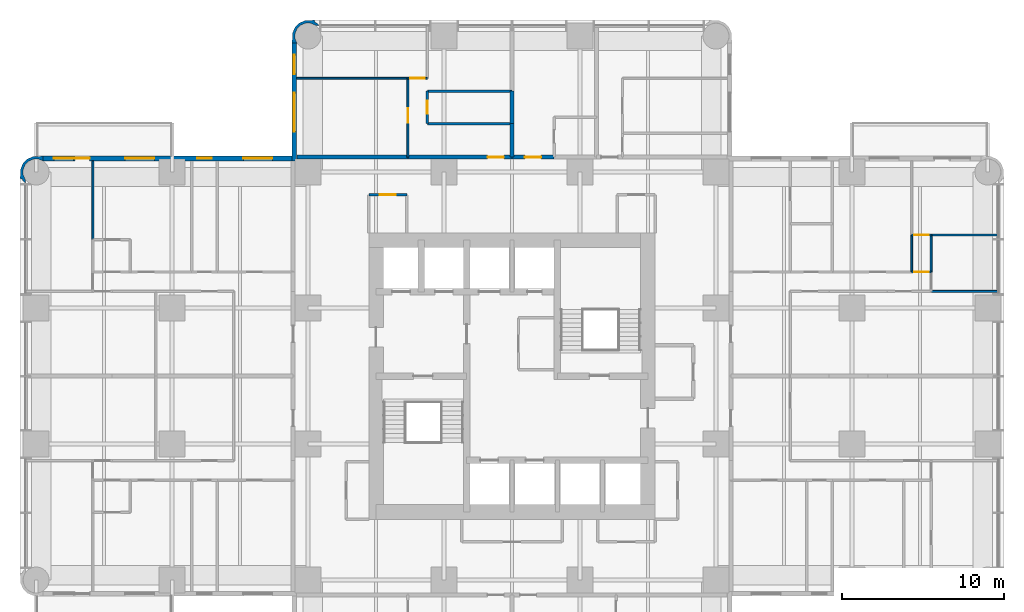
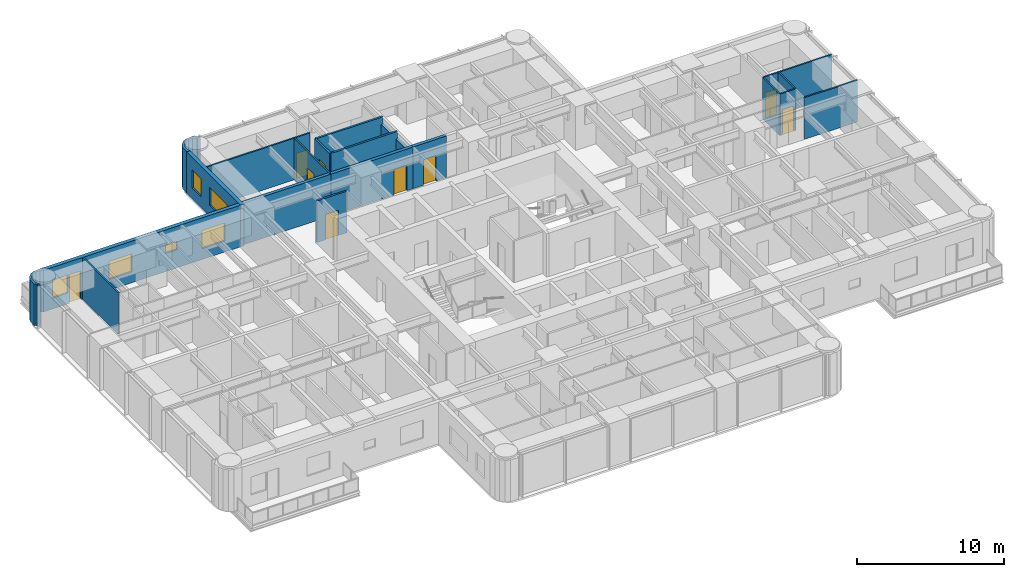
# One storey, part 11 of 15: 23 walls, 9 doors, 6 windows, 15 openings.
"""IFC4 building model written with IfcOpenShell, lengths in metres."""

from ifc_helpers import new_model, si_unit, direction, frame, frame_2d, origin, place, context, subcontext, project, spatial, polyline, rectangle, outline, extrude, material, layer, layer_set, type_object, element, fill, save


model = new_model("IFC4")

# Units and contexts
model_context = context("Model", 3, precision=1e-05, world=origin(), true_north=direction((0.0, 1.0)))
body_context = subcontext(model_context, "Body", "Model", "MODEL_VIEW")
ifc_project = project(units=[si_unit("LENGTHUNIT", "METRE"), si_unit("AREAUNIT", "SQUARE_METRE"), si_unit("VOLUMEUNIT", "CUBIC_METRE"), si_unit("PLANEANGLEUNIT", "RADIAN"), si_unit("MASSUNIT", "GRAM", prefix="KILO")], contexts=[model_context])

# Site, building, storey
site_placement = place(None, origin())
site = spatial("IfcSite", under=ifc_project, at=site_placement, CompositionType="ELEMENT")
building_placement = place(site_placement, origin())
building = spatial("IfcBuilding", under=site, at=building_placement, Name="Torre Alcanfor", CompositionType="ELEMENT")
storey_placement = place(building_placement, frame((0.0, 0.0, 144.89990234375)))
storey = spatial("IfcBuildingStorey", under=building, at=storey_placement, Name="L37", CompositionType="ELEMENT", Elevation=144.89990234375)

# Wall, opening, door
ifc_material_1 = material(Name="Concrete block masonry, hollow blocks NMX-C-404 9 MPa", Category="masonry")
ifc_layer_1 = layer(ifc_material_1, 0.25)
ifc_layer_set_1 = layer_set([ifc_layer_1], Name="Apartment entrance wall 250 EI 60")
wall_type_1 = type_object("IfcWallType", Name="Apartment entrance wall 250 EI 60", PredefinedType="PARTITIONING", material=ifc_layer_set_1)
wall_1_placement = place(storey_placement, frame((22.970947265625, 42.925048828125, 0.0), z_axis=(0.0, 0.0, 1.0), x_axis=(1.0, 0.0, 0.0)))
wall_1 = element("IfcWall", 1, at=wall_1_placement, inside=storey, type_object=wall_type_1, Name="Partition L37-CORR / L37-N1-LIVING", PredefinedType="PARTITIONING", context=body_context, shape_type="SweptSolid", body=[
    extrude(rectangle(XDim=6.428955078125, YDim=0.25, at=frame_2d((3.21435546875, 0.0))), origin(), (0.0, 0.0, 1.0), 3.4501953125),
])
opening_1_placement = place(wall_1_placement, frame((4.928955078125, 0.0, 0.0)))
opening_1 = element("IfcOpeningElement", 2, at=opening_1_placement, cuts=wall_1, Name="Opening D-A1", PredefinedType="OPENING", context=body_context, shape_type="SweptSolid", body=[
    extrude(rectangle(XDim=1.0, YDim=2.10009765625, at=frame_2d((0.5, 1.050048828125))), frame((0.0, 0.135009765625, 0.0), z_axis=(0.0, -1.0, 0.0), x_axis=(1.0, 0.0, 0.0)), (0.0, 0.0, 1.0), 0.27001953125),
])
ifc_material_2 = material(Name="Galvanised steel sheet ASTM A653", Category="steel")
door_type_1 = type_object("IfcDoorType", Name="Apartment entrance door FD60 1000x2100", OperationType="SINGLE_SWING_LEFT", PredefinedType="DOOR", material=ifc_material_2)
door_1_placement = place(opening_1_placement, origin())
door_1 = element("IfcDoor", 3, at=door_1_placement, inside=storey, type_object=door_type_1, Name="Apartment entrance L37-N1", OperationType="SINGLE_SWING_RIGHT", OverallHeight=2.10009765625, OverallWidth=1.0, PredefinedType="DOOR", context=body_context, shape_type="SweptSolid", body=[
    extrude(rectangle(XDim=1.0, YDim=2.10009765625, at=frame_2d((0.5, 1.050048828125))), frame((0.0, 0.02490234375, 0.0), z_axis=(0.0, -1.0, 0.0), x_axis=(1.0, 0.0, 0.0)), (0.0, 0.0, 1.0), 0.050048828125),
])
fill(opening_1, door_1)

# Wall
wall_2_placement = place(storey_placement, frame((16.10009765625, 42.925048828125, 0.0), z_axis=(0.0, 0.0, 1.0), x_axis=(1.0, 0.0, 0.0)))
element("IfcWall", 4, at=wall_2_placement, inside=storey, type_object=wall_type_1, Name="Partition L37-CORR / L37-N1-BED2", PredefinedType="PARTITIONING", context=body_context, shape_type="SweptSolid", body=[
    extrude(rectangle(XDim=6.870849609375, YDim=0.25, at=frame_2d((3.435546875, 0.0))), origin(), (0.0, 0.0, 1.0), 3.4501953125),
])

# Wall, opening, door
wall_3_placement = place(storey_placement, frame((29.39990234375, 42.925048828125, 0.0), z_axis=(0.0, 0.0, 1.0), x_axis=(1.0, 0.0, 0.0)))
wall_3 = element("IfcWall", 5, at=wall_3_placement, inside=storey, type_object=wall_type_1, Name="Partition L37-CORR / L37-N2A-STUDIO", PredefinedType="PARTITIONING", context=body_context, shape_type="SweptSolid", body=[
    extrude(rectangle(XDim=2.60009765625, YDim=0.25, at=frame_2d((1.300048828125, 0.0))), origin(), (0.0, 0.0, 1.0), 3.4501953125),
])
opening_2_placement = place(wall_3_placement, frame((0.800048828125, 0.0, 0.0)))
opening_2 = element("IfcOpeningElement", 6, at=opening_2_placement, cuts=wall_3, Name="Opening D-A1", PredefinedType="OPENING", context=body_context, shape_type="SweptSolid", body=[
    extrude(rectangle(XDim=1.0, YDim=2.10009765625, at=frame_2d((0.5, 1.050048828125))), frame((0.0, 0.135009765625, 0.0), z_axis=(0.0, -1.0, 0.0), x_axis=(1.0, 0.0, 0.0)), (0.0, 0.0, 1.0), 0.27001953125),
])
door_2_placement = place(opening_2_placement, origin())
door_2 = element("IfcDoor", 7, at=door_2_placement, inside=storey, type_object=door_type_1, Name="Apartment entrance L37-N2A", OperationType="SINGLE_SWING_LEFT", OverallHeight=2.10009765625, OverallWidth=1.0, PredefinedType="DOOR", context=body_context, shape_type="SweptSolid", body=[
    extrude(rectangle(XDim=1.0, YDim=2.10009765625, at=frame_2d((0.5, 1.050048828125))), frame((0.0, 0.02490234375, 0.0), z_axis=(0.0, -1.0, 0.0), x_axis=(1.0, 0.0, 0.0)), (0.0, 0.0, 1.0), 0.050048828125),
])
fill(opening_2, door_2)

ifc_material_3 = material(Name="Gypsum board on steel studs", Category="steel")
ifc_layer_2 = layer(ifc_material_3, 0.1201171875)
ifc_layer_set_2 = layer_set([ifc_layer_2], Name="Apartment partition 120")
wall_type_2 = type_object("IfcWallType", Name="Apartment partition 120", PredefinedType="PARTITIONING", material=ifc_layer_set_2)
wall_4_placement = place(storey_placement, frame((22.970947265625, 42.925048828125, 0.0), z_axis=(0.0, 0.0, 1.0), x_axis=(0.0, 1.0, 0.0)))
wall_4 = element("IfcWall", 8, at=wall_4_placement, inside=storey, type_object=wall_type_2, Name="Partition L37-N1-LIVING / L37-N1-BED2", PredefinedType="PARTITIONING", context=body_context, shape_type="SweptSolid", body=[
    extrude(rectangle(XDim=4.875, YDim=0.1201171875, at=frame_2d((2.4375, 0.0))), origin(), (0.0, 0.0, 1.0), 3.4501953125),
])
opening_3_placement = place(wall_4_placement, frame((2.125, 0.0, 0.0)))
opening_3 = element("IfcOpeningElement", 9, at=opening_3_placement, cuts=wall_4, Name="Opening D-R1", PredefinedType="OPENING", context=body_context, shape_type="SweptSolid", body=[
    extrude(rectangle(XDim=0.89990234375, YDim=2.10009765625, at=frame_2d((0.449951171875, 1.050048828125))), frame((0.0, 0.070068359375, 0.0), z_axis=(0.0, -1.0, 0.0), x_axis=(1.0, 0.0, 0.0)), (0.0, 0.0, 1.0), 0.14013671875),
])
ifc_material_4 = material(Name="Timber", Category="wood")
door_type_2 = type_object("IfcDoorType", Name="Internal door 900x2100", OperationType="SINGLE_SWING_LEFT", PredefinedType="DOOR", material=ifc_material_4)
door_3_placement = place(opening_3_placement, origin())
door_3 = element("IfcDoor", 10, at=door_3_placement, inside=storey, type_object=door_type_2, Name="Door L37-N1 bed2", OperationType="SINGLE_SWING_RIGHT", OverallHeight=2.10009765625, OverallWidth=0.89990234375, PredefinedType="DOOR", context=body_context, shape_type="SweptSolid", body=[
    extrude(rectangle(XDim=0.89990234375, YDim=2.10009765625, at=frame_2d((0.449951171875, 1.050048828125))), frame((0.0, 0.02490234375, 0.0), z_axis=(0.0, -1.0, 0.0), x_axis=(1.0, 0.0, 0.0)), (0.0, 0.0, 1.0), 0.050048828125),
])
fill(opening_3, door_3)

wall_5_placement = place(storey_placement, frame((22.970947265625, 47.800048828125, 0.0), z_axis=(0.0, 0.0, 1.0), x_axis=(1.0, 0.0, 0.0)))
wall_5 = element("IfcWall", 11, at=wall_5_placement, inside=storey, type_object=wall_type_2, Name="Partition L37-N1-LIVING / L37-N1-MASTER", PredefinedType="PARTITIONING", context=body_context, shape_type="SweptSolid", body=[
    extrude(rectangle(XDim=1.199951171875, YDim=0.1201171875, at=frame_2d((0.60009765625, 0.0))), origin(), (0.0, 0.0, 1.0), 3.4501953125),
])
opening_4_placement = place(wall_5_placement, frame((0.14892578125, 0.0, 0.0)))
opening_4 = element("IfcOpeningElement", 12, at=opening_4_placement, cuts=wall_5, Name="Opening D-R1", PredefinedType="OPENING", context=body_context, shape_type="SweptSolid", body=[
    extrude(rectangle(XDim=0.89990234375, YDim=2.10009765625, at=frame_2d((0.449951171875, 1.050048828125))), frame((0.0, 0.070068359375, 0.0), z_axis=(0.0, -1.0, 0.0), x_axis=(1.0, 0.0, 0.0)), (0.0, 0.0, 1.0), 0.14013671875),
])
door_4_placement = place(opening_4_placement, origin())
door_4 = element("IfcDoor", 13, at=door_4_placement, inside=storey, type_object=door_type_2, Name="Door L37-N1 master", OperationType="SINGLE_SWING_RIGHT", OverallHeight=2.10009765625, OverallWidth=0.89990234375, PredefinedType="DOOR", context=body_context, shape_type="SweptSolid", body=[
    extrude(rectangle(XDim=0.89990234375, YDim=2.10009765625, at=frame_2d((0.449951171875, 1.050048828125))), frame((0.0, 0.02490234375, 0.0), z_axis=(0.0, -1.0, 0.0), x_axis=(1.0, 0.0, 0.0)), (0.0, 0.0, 1.0), 0.050048828125),
])
fill(opening_4, door_4)

# Walls
wall_6_placement = place(storey_placement, frame((22.970947265625, 47.800048828125, 0.0), z_axis=(0.0, 0.0, 1.0), x_axis=(-1.0, 0.0, 0.0)))
element("IfcWall", 14, at=wall_6_placement, inside=storey, type_object=wall_type_2, Name="Partition L37-N1-BED2 / L37-N1-MASTER", PredefinedType="PARTITIONING", context=body_context, shape_type="SweptSolid", body=[
    extrude(rectangle(XDim=6.870849609375, YDim=0.1201171875, at=frame_2d((3.435546875, 0.0))), origin(), (0.0, 0.0, 1.0), 3.4501953125),
])
wall_7_placement = place(storey_placement, frame((59.449951171875, 34.62890625, 0.0), z_axis=(0.0, 0.0, 1.0), x_axis=(-1.0, 0.0, 0.0)))
element("IfcWall", 15, at=wall_7_placement, inside=storey, type_object=wall_type_2, Name="Partition L37-E1-LIVING / L37-E1-BED2", PredefinedType="PARTITIONING", context=body_context, shape_type="SweptSolid", body=[
    extrude(rectangle(XDim=4.14990234375, YDim=0.1201171875, at=frame_2d((2.074951171875, 0.0))), origin(), (0.0, 0.0, 1.0), 3.4501953125),
])

# Wall, opening, door
wall_8_placement = place(storey_placement, frame((55.300048828125, 35.8291015625, 0.0), z_axis=(0.0, 0.0, 1.0), x_axis=(-1.0, 0.0, 0.0)))
wall_8 = element("IfcWall", 16, at=wall_8_placement, inside=storey, type_object=wall_type_2, Name="Partition L37-E1-HALL / L37-E1-VEST", PredefinedType="PARTITIONING", context=body_context, shape_type="SweptSolid", body=[
    extrude(rectangle(XDim=1.199951171875, YDim=0.1201171875, at=frame_2d((0.60009765625, 0.0))), origin(), (0.0, 0.0, 1.0), 3.4501953125),
])
opening_5_placement = place(wall_8_placement, frame((0.14990234375, 0.0, 0.0)))
opening_5 = element("IfcOpeningElement", 17, at=opening_5_placement, cuts=wall_8, Name="Opening D-R1", PredefinedType="OPENING", context=body_context, shape_type="SweptSolid", body=[
    extrude(rectangle(XDim=0.89990234375, YDim=2.10009765625, at=frame_2d((0.449951171875, 1.050048828125))), frame((0.0, 0.070068359375, 0.0), z_axis=(0.0, -1.0, 0.0), x_axis=(1.0, 0.0, 0.0)), (0.0, 0.0, 1.0), 0.14013671875),
])
door_5_placement = place(opening_5_placement, frame((0.89990234375, 0.0, 0.0), z_axis=(0.0, 0.0, 1.0), x_axis=(-1.0, 0.0, 0.0)))
door_5 = element("IfcDoor", 18, at=door_5_placement, inside=storey, type_object=door_type_2, Name="Door L37-E1 vest", OperationType="SINGLE_SWING_RIGHT", OverallHeight=2.10009765625, OverallWidth=0.89990234375, PredefinedType="DOOR", context=body_context, shape_type="SweptSolid", body=[
    extrude(rectangle(XDim=0.89990234375, YDim=2.10009765625, at=frame_2d((0.449951171875, 1.050048828125))), frame((0.0, 0.025146484375, 0.0), z_axis=(0.0, -1.0, 0.0), x_axis=(1.0, 0.0, 0.0)), (0.0, 0.0, 1.0), 0.050048828125),
])
fill(opening_5, door_5)

# Walls
for number, where, z_axis, x_axis, name in (
    (19, (54.10009765625, 35.8291015625, 0.0), (0.0, 0.0, 1.0), (0.0, 1.0, 0.0), "Partition L37-E1-BED3 / L37-E1-VEST"),
    (20, (55.300048828125, 35.8291015625, 0.0), (0.0, 0.0, 1.0), (0.0, 1.0, 0.0), "Partition L37-E1-VEST / L37-E1-BED2"),
):
    element("IfcWall", number, at=place(storey_placement, frame(where, z_axis=z_axis, x_axis=x_axis)), inside=storey, type_object=wall_type_2, Name=name, PredefinedType="PARTITIONING", context=body_context, shape_type="SweptSolid", body=[
        extrude(rectangle(XDim=2.284912109375, YDim=0.1201171875, at=frame_2d((1.142578125, 0.0))), origin(), (0.0, 0.0, 1.0), 3.4501953125),
    ])

# Wall, opening, door
wall_9_placement = place(storey_placement, frame((55.300048828125, 38.114013671875, 0.0), z_axis=(0.0, 0.0, 1.0), x_axis=(-1.0, 0.0, 0.0)))
wall_9 = element("IfcWall", 21, at=wall_9_placement, inside=storey, type_object=wall_type_2, Name="Partition L37-E1-VEST / L37-E1-MASTER", PredefinedType="PARTITIONING", context=body_context, shape_type="SweptSolid", body=[
    extrude(rectangle(XDim=1.199951171875, YDim=0.1201171875, at=frame_2d((0.60009765625, 0.0))), origin(), (0.0, 0.0, 1.0), 3.4501953125),
])
opening_6_placement = place(wall_9_placement, frame((0.14990234375, 0.0, 0.0)))
opening_6 = element("IfcOpeningElement", 22, at=opening_6_placement, cuts=wall_9, Name="Opening D-R1", PredefinedType="OPENING", context=body_context, shape_type="SweptSolid", body=[
    extrude(rectangle(XDim=0.89990234375, YDim=2.10009765625, at=frame_2d((0.449951171875, 1.050048828125))), frame((0.0, 0.070068359375, 0.0), z_axis=(0.0, -1.0, 0.0), x_axis=(1.0, 0.0, 0.0)), (0.0, 0.0, 1.0), 0.14013671875),
])
door_6_placement = place(opening_6_placement, origin())
door_6 = element("IfcDoor", 23, at=door_6_placement, inside=storey, type_object=door_type_2, Name="Door L37-E1 master", OperationType="SINGLE_SWING_LEFT", OverallHeight=2.10009765625, OverallWidth=0.89990234375, PredefinedType="DOOR", context=body_context, shape_type="SweptSolid", body=[
    extrude(rectangle(XDim=0.89990234375, YDim=2.10009765625, at=frame_2d((0.449951171875, 1.050048828125))), frame((0.0, 0.02490234375, 0.0), z_axis=(0.0, -1.0, 0.0), x_axis=(1.0, 0.0, 0.0)), (0.0, 0.0, 1.0), 0.050048828125),
])
fill(opening_6, door_6)

# Walls
wall_10_placement = place(storey_placement, frame((59.449951171875, 38.114013671875, 0.0), z_axis=(0.0, 0.0, 1.0), x_axis=(-1.0, 0.0, 0.0)))
element("IfcWall", 24, at=wall_10_placement, inside=storey, type_object=wall_type_2, Name="Partition L37-E1-BED2 / L37-E1-MASTER", PredefinedType="PARTITIONING", context=body_context, shape_type="SweptSolid", body=[
    extrude(rectangle(XDim=4.14990234375, YDim=0.1201171875, at=frame_2d((2.074951171875, 0.0))), origin(), (0.0, 0.0, 1.0), 3.4501953125),
])
wall_11_placement = place(storey_placement, frame((3.5, 37.8291015625, 0.0), z_axis=(0.0, 0.0, 1.0), x_axis=(0.0, 1.0, 0.0)))
element("IfcWall", 25, at=wall_11_placement, inside=storey, type_object=wall_type_2, Name="Partition L37-W2-MASTER / L37-W2-WGARD", PredefinedType="PARTITIONING", context=body_context, shape_type="SweptSolid", body=[
    extrude(rectangle(XDim=4.870849609375, YDim=0.1201171875, at=frame_2d((2.435546875, 0.0))), origin(), (0.0, 0.0, 1.0), 3.4501953125),
])

# Wall, openings, door, windows
ifc_material_5 = material(Name="Limestone cladding", Category="masonry")
ifc_layer_3 = layer(ifc_material_5, 0.0400390625, Name="Facing")
ifc_material_6 = material(Name="Ventilated air cavity")
ifc_layer_4 = layer(ifc_material_6, 0.02001953125, ventilated=True, Name="Ventilated joint")
ifc_material_7 = material(Name="Mineral wool insulation", Category="insulation")
ifc_layer_5 = layer(ifc_material_7, 0.10009765625, Name="Insulation")
ifc_material_8 = material(Name="Concrete f'c 35 MPa", Category="concrete")
ifc_layer_6 = layer(ifc_material_8, 0.139892578125, Name="Backing")
ifc_layer_set_3 = layer_set([ifc_layer_3, ifc_layer_4, ifc_layer_5, ifc_layer_6], Name="External wall stone-clad 300")
wall_type_3 = type_object("IfcWallType", Name="External wall stone-clad 300", PredefinedType="SOLIDWALL", material=ifc_layer_set_3)
wall_12_placement = place(storey_placement, frame((15.800048828125, 42.85009765625, 0.0), z_axis=(0.0, 0.0, 1.0), x_axis=(-1.0, 0.0, 0.0)))
wall_12 = element("IfcWall", 26, at=wall_12_placement, inside=storey, type_object=wall_type_3, Name="External wall L37 1", PredefinedType="SOLIDWALL", context=body_context, shape_type="SweptSolid", body=[
    extrude(rectangle(XDim=15.400146484375, YDim=0.300048828125, at=frame_2d((7.7001953125, 0.0))), origin(), (0.0, 0.0, 1.0), 3.4501953125),
])
opening_7_placement = place(wall_12_placement, frame((1.199951171875, 0.0, 0.89990234375)))
opening_7 = element("IfcOpeningElement", 27, at=opening_7_placement, cuts=wall_12, Name="Opening W2", PredefinedType="OPENING", context=body_context, shape_type="SweptSolid", body=[
    extrude(rectangle(XDim=1.800048828125, YDim=1.5, at=frame_2d((0.89990234375, 0.75))), frame((0.0, 0.159912109375, 0.0), z_axis=(0.0, -1.0, 0.0), x_axis=(1.0, 0.0, 0.0)), (0.0, 0.0, 1.0), 0.320068359375),
])
opening_8_placement = place(wall_12_placement, frame((4.949951171875, 0.0, 1.5)))
opening_8 = element("IfcOpeningElement", 28, at=opening_8_placement, cuts=wall_12, Name="Opening W3", PredefinedType="OPENING", context=body_context, shape_type="SweptSolid", body=[
    extrude(rectangle(XDim=0.89990234375, YDim=0.699951171875, at=frame_2d((0.449951171875, 0.35009765625))), frame((0.0, 0.159912109375, 0.0), z_axis=(0.0, -1.0, 0.0), x_axis=(1.0, 0.0, 0.0)), (0.0, 0.0, 1.0), 0.320068359375),
])
opening_9_placement = place(wall_12_placement, frame((8.5, 0.0, 0.89990234375)))
opening_9 = element("IfcOpeningElement", 29, at=opening_9_placement, cuts=wall_12, Name="Opening W2", PredefinedType="OPENING", context=body_context, shape_type="SweptSolid", body=[
    extrude(rectangle(XDim=1.800048828125, YDim=1.5, at=frame_2d((0.89990234375, 0.75))), frame((0.0, 0.159912109375, 0.0), z_axis=(0.0, -1.0, 0.0), x_axis=(1.0, 0.0, 0.0)), (0.0, 0.0, 1.0), 0.320068359375),
])
opening_10_placement = place(wall_12_placement, frame((12.5, 0.0, 0.0)))
opening_10 = element("IfcOpeningElement", 30, at=opening_10_placement, cuts=wall_12, Name="Opening D-B1", PredefinedType="OPENING", context=body_context, shape_type="SweptSolid", body=[
    extrude(rectangle(XDim=0.89990234375, YDim=2.39990234375, at=frame_2d((0.449951171875, 1.199951171875))), frame((0.0, 0.159912109375, 0.0), z_axis=(0.0, -1.0, 0.0), x_axis=(1.0, 0.0, 0.0)), (0.0, 0.0, 1.0), 0.320068359375),
])
opening_11_placement = place(wall_12_placement, frame((13.5, 0.0, 0.89990234375)))
opening_11 = element("IfcOpeningElement", 31, at=opening_11_placement, cuts=wall_12, Name="Opening W4", PredefinedType="OPENING", context=body_context, shape_type="SweptSolid", body=[
    extrude(rectangle(XDim=1.199951171875, YDim=1.5, at=frame_2d((0.60009765625, 0.75))), frame((0.0, 0.159912109375, 0.0), z_axis=(0.0, -1.0, 0.0), x_axis=(1.0, 0.0, 0.0)), (0.0, 0.0, 1.0), 0.320068359375),
])
ifc_material_9 = material(Name="Aluminium and glass", Category="aluminium")
door_type_3 = type_object("IfcDoorType", Name="Balcony door glazed 900x2400", OperationType="SINGLE_SWING_LEFT", PredefinedType="DOOR", material=ifc_material_9)
door_7_placement = place(opening_10_placement, origin())
door_7 = element("IfcDoor", 32, at=door_7_placement, inside=storey, type_object=door_type_3, Name="Balcony door L37-W2", OperationType="SINGLE_SWING_LEFT", OverallHeight=2.39990234375, OverallWidth=0.89990234375, PredefinedType="DOOR", context=body_context, shape_type="SweptSolid", body=[
    extrude(rectangle(XDim=0.89990234375, YDim=2.39990234375, at=frame_2d((0.449951171875, 1.199951171875))), frame((0.0, 0.02490234375, 0.0), z_axis=(0.0, -1.0, 0.0), x_axis=(1.0, 0.0, 0.0)), (0.0, 0.0, 1.0), 0.050048828125),
])
fill(opening_10, door_7)
ifc_material_10 = material(Name="Aluminium frame with clear double glazing", Category="aluminium")
window_type_1 = type_object("IfcWindowType", Name="Window bathroom 900x700", PartitioningType="SINGLE_PANEL", PredefinedType="WINDOW", material=ifc_material_10)
window_1_placement = place(opening_8_placement, origin())
window_1 = element("IfcWindow", 33, at=window_1_placement, inside=storey, type_object=window_type_1, Name="Window W3 L37-W2", OverallHeight=0.699951171875, OverallWidth=0.89990234375, PartitioningType="SINGLE_PANEL", PredefinedType="WINDOW", context=body_context, shape_type="SweptSolid", body=[
    extrude(rectangle(XDim=0.89990234375, YDim=0.699951171875, at=frame_2d((0.449951171875, 0.35009765625))), frame((0.0, 0.030029296875, 0.0), z_axis=(0.0, -1.0, 0.0), x_axis=(1.0, 0.0, 0.0)), (0.0, 0.0, 1.0), 0.06005859375),
])
fill(opening_8, window_1)
ifc_material_11 = material(Name="Aluminium frame with clear double glazing", Category="aluminium")
window_type_2 = type_object("IfcWindowType", Name="Window bedroom 1200x1500", PartitioningType="SINGLE_PANEL", PredefinedType="WINDOW", material=ifc_material_11)
window_2_placement = place(opening_11_placement, origin())
window_2 = element("IfcWindow", 34, at=window_2_placement, inside=storey, type_object=window_type_2, Name="Window W4 L37-W2", OverallHeight=1.5, OverallWidth=1.199951171875, PartitioningType="SINGLE_PANEL", PredefinedType="WINDOW", context=body_context, shape_type="SweptSolid", body=[
    extrude(rectangle(XDim=1.199951171875, YDim=1.5, at=frame_2d((0.60009765625, 0.75))), frame((0.0, 0.030029296875, 0.0), z_axis=(0.0, -1.0, 0.0), x_axis=(1.0, 0.0, 0.0)), (0.0, 0.0, 1.0), 0.06005859375),
])
fill(opening_11, window_2)
ifc_material_12 = material(Name="Aluminium frame with clear double glazing", Category="aluminium")
window_type_3 = type_object("IfcWindowType", Name="Window bedroom 1800x1500", PartitioningType="SINGLE_PANEL", PredefinedType="WINDOW", material=ifc_material_12)
window_3_placement = place(opening_7_placement, origin())
window_3 = element("IfcWindow", 35, at=window_3_placement, inside=storey, type_object=window_type_3, Name="Window W2 L37-W2", OverallHeight=1.5, OverallWidth=1.800048828125, PartitioningType="SINGLE_PANEL", PredefinedType="WINDOW", context=body_context, shape_type="SweptSolid", body=[
    extrude(rectangle(XDim=1.800048828125, YDim=1.5, at=frame_2d((0.89990234375, 0.75))), frame((0.0, 0.030029296875, 0.0), z_axis=(0.0, -1.0, 0.0), x_axis=(1.0, 0.0, 0.0)), (0.0, 0.0, 1.0), 0.06005859375),
])
fill(opening_7, window_3)
window_4_placement = place(opening_9_placement, origin())
window_4 = element("IfcWindow", 36, at=window_4_placement, inside=storey, type_object=window_type_3, Name="Window W2 L37-W2", OverallHeight=1.5, OverallWidth=1.800048828125, PartitioningType="SINGLE_PANEL", PredefinedType="WINDOW", context=body_context, shape_type="SweptSolid", body=[
    extrude(rectangle(XDim=1.800048828125, YDim=1.5, at=frame_2d((0.89990234375, 0.75))), frame((0.0, 0.030029296875, 0.0), z_axis=(0.0, -1.0, 0.0), x_axis=(1.0, 0.0, 0.0)), (0.0, 0.0, 1.0), 0.06005859375),
])
fill(opening_9, window_4)

# Wall, openings, windows
wall_13_placement = place(storey_placement, frame((15.949951171875, 50.0, 0.0), z_axis=(0.0, 0.0, 1.0), x_axis=(0.0, -1.0, 0.0)))
wall_13 = element("IfcWall", 37, at=wall_13_placement, inside=storey, type_object=wall_type_3, Name="External wall L37 12", PredefinedType="SOLIDWALL", context=body_context, shape_type="SweptSolid", body=[
    extrude(rectangle(XDim=7.300048828125, YDim=0.300048828125, at=frame_2d((3.64990234375, 0.0))), origin(), (0.0, 0.0, 1.0), 3.4501953125),
])
opening_12_placement = place(wall_13_placement, frame((3.10009765625, 0.0, 0.89990234375)))
opening_12 = element("IfcOpeningElement", 38, at=opening_12_placement, cuts=wall_13, Name="Opening W1", PredefinedType="OPENING", context=body_context, shape_type="SweptSolid", body=[
    extrude(rectangle(XDim=2.39990234375, YDim=1.5, at=frame_2d((1.199951171875, 0.75))), frame((0.0, 0.159912109375, 0.0), z_axis=(0.0, -1.0, 0.0), x_axis=(1.0, 0.0, 0.0)), (0.0, 0.0, 1.0), 0.320068359375),
])
opening_13_placement = place(wall_13_placement, frame((0.75, 0.0, 0.89990234375)))
opening_13 = element("IfcOpeningElement", 39, at=opening_13_placement, cuts=wall_13, Name="Opening W4", PredefinedType="OPENING", context=body_context, shape_type="SweptSolid", body=[
    extrude(rectangle(XDim=1.199951171875, YDim=1.5, at=frame_2d((0.60009765625, 0.75))), frame((0.0, 0.159912109375, 0.0), z_axis=(0.0, -1.0, 0.0), x_axis=(1.0, 0.0, 0.0)), (0.0, 0.0, 1.0), 0.320068359375),
])
window_5_placement = place(opening_13_placement, origin())
window_5 = element("IfcWindow", 40, at=window_5_placement, inside=storey, type_object=window_type_2, Name="Window W4 L37-N1", OverallHeight=1.5, OverallWidth=1.199951171875, PartitioningType="SINGLE_PANEL", PredefinedType="WINDOW", context=body_context, shape_type="SweptSolid", body=[
    extrude(rectangle(XDim=1.199951171875, YDim=1.5, at=frame_2d((0.60009765625, 0.75))), frame((0.0, 0.030029296875, 0.0), z_axis=(0.0, -1.0, 0.0), x_axis=(1.0, 0.0, 0.0)), (0.0, 0.0, 1.0), 0.06005859375),
])
fill(opening_13, window_5)
ifc_material_13 = material(Name="Aluminium frame with clear double glazing", Category="aluminium")
window_type_4 = type_object("IfcWindowType", Name="Window bedroom 2400x1500", PartitioningType="SINGLE_PANEL", PredefinedType="WINDOW", material=ifc_material_13)
window_6_placement = place(opening_12_placement, origin())
window_6 = element("IfcWindow", 41, at=window_6_placement, inside=storey, type_object=window_type_4, Name="Window W1 L37-N1", OverallHeight=1.5, OverallWidth=2.39990234375, PartitioningType="SINGLE_PANEL", PredefinedType="WINDOW", context=body_context, shape_type="SweptSolid", body=[
    extrude(rectangle(XDim=2.39990234375, YDim=1.5, at=frame_2d((1.199951171875, 0.75))), frame((0.0, 0.030029296875, 0.0), z_axis=(0.0, -1.0, 0.0), x_axis=(1.0, 0.0, 0.0)), (0.0, 0.0, 1.0), 0.06005859375),
])
fill(opening_12, window_6)

# Walls
ifc_material_14 = material(Name="Concrete block masonry, hollow blocks NMX-C-404 9 MPa", Category="masonry")
ifc_layer_7 = layer(ifc_material_14, 0.25)
ifc_layer_set_4 = layer_set([ifc_layer_7], Name="Party wall 250 EI 60")
wall_type_4 = type_object("IfcWallType", Name="Party wall 250 EI 60", PredefinedType="PARTITIONING", material=ifc_layer_set_4)
wall_14_placement = place(storey_placement, frame((29.39990234375, 45.0, 0.0), z_axis=(0.0, 0.0, 1.0), x_axis=(0.0, 1.0, 0.0)))
element("IfcWall", 42, at=wall_14_placement, inside=storey, type_object=wall_type_4, Name="Partition L37-N1-BATH / L37-N2A-STUDIO", PredefinedType="PARTITIONING", context=body_context, shape_type="SweptSolid", body=[
    extrude(rectangle(XDim=2.0, YDim=0.25, at=frame_2d((1.0, 0.0))), origin(), (0.0, 0.0, 1.0), 2.84814453125),
])
wall_15_placement = place(storey_placement, frame((29.39990234375, 45.0, 0.0), z_axis=(0.0, 0.0, 1.0), x_axis=(0.0, -1.0, 0.0)))
element("IfcWall", 43, at=wall_15_placement, inside=storey, type_object=wall_type_4, Name="Partition L37-N1-LIVING / L37-N2A-STUDIO", PredefinedType="PARTITIONING", context=body_context, shape_type="SweptSolid", body=[
    extrude(rectangle(XDim=2.074951171875, YDim=0.25, at=frame_2d((1.03759765625, 0.0))), origin(), (0.0, 0.0, 1.0), 2.84814453125),
])

# Wall, opening, door
ifc_material_15 = material(Name="Concrete block masonry, hollow blocks NMX-C-404 9 MPa", Category="masonry")
ifc_layer_8 = layer(ifc_material_15, 0.14990234375)
ifc_layer_set_5 = layer_set([ifc_layer_8], Name="Residents' room partition 150")
wall_type_5 = type_object("IfcWallType", Name="Residents' room partition 150", PredefinedType="PARTITIONING", material=ifc_layer_set_5)
wall_16_placement = place(storey_placement, frame((22.89990234375, 40.60009765625, 0.0), z_axis=(0.0, 0.0, 1.0), x_axis=(-1.0, 0.0, 0.0)))
wall_16 = element("IfcWall", 44, at=wall_16_placement, inside=storey, type_object=wall_type_5, Name="Partition L37-CORR / L37-G01", PredefinedType="PARTITIONING", context=body_context, shape_type="SweptSolid", body=[
    extrude(rectangle(XDim=2.349853515625, YDim=0.14990234375, at=frame_2d((1.1748046875, 0.0))), origin(), (0.0, 0.0, 1.0), 3.4501953125),
])
opening_14_placement = place(wall_16_placement, frame((0.675048828125, 0.0, 0.0)))
opening_14 = element("IfcOpeningElement", 45, at=opening_14_placement, cuts=wall_16, Name="Opening D-M1", PredefinedType="OPENING", context=body_context, shape_type="SweptSolid", body=[
    extrude(rectangle(XDim=1.0, YDim=2.10009765625, at=frame_2d((0.5, 1.050048828125))), frame((0.0, 0.0849609375, 0.0), z_axis=(0.0, -1.0, 0.0), x_axis=(1.0, 0.0, 0.0)), (0.0, 0.0, 1.0), 0.169921875),
])
ifc_material_16 = material(Name="Timber", Category="wood")
door_type_4 = type_object("IfcDoorType", Name="Residents' room door 1000x2100", OperationType="SINGLE_SWING_LEFT", PredefinedType="DOOR", material=ifc_material_16)
door_8_placement = place(opening_14_placement, origin())
door_8 = element("IfcDoor", 46, at=door_8_placement, inside=storey, type_object=door_type_4, Name="Door L37-G01 bicycle store", OperationType="SINGLE_SWING_LEFT", OverallHeight=2.10009765625, OverallWidth=1.0, PredefinedType="DOOR", context=body_context, shape_type="SweptSolid", body=[
    extrude(rectangle(XDim=1.0, YDim=2.10009765625, at=frame_2d((0.5, 1.050048828125))), frame((0.0, 0.02490234375, 0.0), z_axis=(0.0, -1.0, 0.0), x_axis=(1.0, 0.0, 0.0)), (0.0, 0.0, 1.0), 0.050048828125),
])
fill(opening_14, door_8)

# Walls
ifc_layer_9 = layer(ifc_material_5, 0.0400390625, Name="Facing")
ifc_layer_10 = layer(ifc_material_6, 0.02001953125, ventilated=True, Name="Ventilated joint")
ifc_layer_11 = layer(ifc_material_7, 0.10009765625, Name="Insulation")
ifc_layer_12 = layer(ifc_material_8, 0.139892578125, Name="Backing")
ifc_layer_set_6 = layer_set([ifc_layer_9, ifc_layer_10, ifc_layer_11, ifc_layer_12], Name="Rounded corner pier stone-clad 300")
wall_type_6 = type_object("IfcWallType", Name="Rounded corner pier stone-clad 300", PredefinedType="SOLIDWALL", material=ifc_layer_set_6)
wall_17_placement = place(storey_placement, frame((0.326823795, 42.817059488, 0.0), z_axis=(0.0, 0.0, 1.0), x_axis=(-0.93923434088, 0.343276641956, 0.0)))
element("IfcWall", 47, at=wall_17_placement, inside=storey, type_object=wall_type_6, Name="Corner pier L37 13", PredefinedType="SOLIDWALL", context=body_context, shape_type="SweptSolid", body=[
    extrude(outline(polyline([(-0.005838677930572508, -0.19691017002240385), (0.2656725893480827, -0.05504723679548061), (0.5353355739365452, 0.04351070532859805), (0.8164808166219237, 0.3019667887790936), (0.9774010351300944, 0.6482698031873169), (0.9936526519661447, 1.0298167590229048), (0.8950947098420661, 1.2994797436113674), (0.8284439015683875, 1.5984799607341533), (0.6967504599124257, 1.5690632792769885), (0.6041212101125378, 1.6695954267902182), (0.39402236502400456, 1.7672242392847775), (0.4711255170258348, 1.5562634010012864), (0.5086990809760941, 1.538803702790635), (0.7241945805605172, 1.30408163961566), (0.8334799177457201, 1.0050675818747117), (0.8201287688443563, 0.6867053603325339), (0.6856890926223405, 0.3973889179155373), (0.4509670294473655, 0.1818934183311141), (0.15195297170641725, 0.07260808114591123), (-0.11630424425966698, 0.08399689688883538), (-0.12741215805145528, 0.07811756360614214), (-0.14598588403076265, 0.07132913391902448), (-0.005838677930572508, -0.19691017002240385)])), origin(), (0.0, 0.0, 1.0), 3.4501953125),
])
wall_18_placement = place(storey_placement, frame((17.448071802, 50.995317512, 0.0), z_axis=(0.0, 0.0, 1.0), x_axis=(-0.343276641956, 0.93923434088, 0.0)))
element("IfcWall", 48, at=wall_18_placement, inside=storey, type_object=wall_type_6, Name="Corner pier L37 20", PredefinedType="SOLIDWALL", context=body_context, shape_type="SweptSolid", body=[
    extrude(outline(polyline([(0.24108059829103723, 0.022959620234629247), (0.3334805428319213, 0.12357557552177408), (0.4651739844878831, 0.09415889406460926), (0.5320540980205655, 0.3930753034134802), (0.6306958479185591, 0.6629675932609465), (0.6144442310825087, 1.0445145490965344), (0.4535240125743382, 1.3908175635047577), (0.17229496211504458, 1.6490443416962495), (-0.0975973277324218, 1.7476860915942432), (-0.36910859501107685, 1.8895490248211664), (-0.5092558011112671, 1.6213097208797382), (-0.4906820751319597, 1.6145212911926206), (-0.47934485608116756, 1.6085581501360122), (-0.21131694537408713, 1.6200307736528514), (0.0879264176258649, 1.5106616286937335), (0.32264848080083985, 1.2951661291093102), (0.4569426595377669, 1.0061627997252323), (0.4702938084391308, 0.6878005781830546), (0.3609246634800129, 0.3885572151831026), (0.1454291638955897, 0.15383515200812764), (0.10816871297824923, 0.136520951282565), (0.030981753202503952, -0.0746691922599299), (0.24108059829103723, 0.022959620234629247)])), origin(), (0.0, 0.0, 1.0), 3.4501953125),
])
ifc_material_17 = material(Name="Cement board on steel studs", Category="steel")
ifc_layer_13 = layer(ifc_material_17, 0.14990234375)
ifc_layer_set_7 = layer_set([ifc_layer_13], Name="Wet area partition 150")
wall_type_7 = type_object("IfcWallType", Name="Wet area partition 150", PredefinedType="PARTITIONING", material=ifc_layer_set_7)
wall_19_placement = place(storey_placement, frame((29.39990234375, 47.0, 0.0), z_axis=(0.0, 0.0, 1.0), x_axis=(-1.0, 0.0, 0.0)))
element("IfcWall", 49, at=wall_19_placement, inside=storey, type_object=wall_type_7, Name="Partition L37-N1-BATH / L37-N1-LIVING", PredefinedType="PARTITIONING", context=body_context, shape_type="SweptSolid", body=[
    extrude(rectangle(XDim=5.22900390625, YDim=0.14990234375, at=frame_2d((2.614501953125, 0.0))), origin(), (0.0, 0.0, 1.0), 3.4501953125),
])

# Wall, opening, door
wall_20_placement = place(storey_placement, frame((24.1708984375, 47.0, 0.0), z_axis=(0.0, 0.0, 1.0), x_axis=(0.0, -1.0, 0.0)))
wall_20 = element("IfcWall", 50, at=wall_20_placement, inside=storey, type_object=wall_type_7, Name="Partition L37-N1-BATH / L37-N1-LIVING", PredefinedType="PARTITIONING", context=body_context, shape_type="SweptSolid", body=[
    extrude(rectangle(XDim=2.0, YDim=0.14990234375, at=frame_2d((1.0, 0.0))), origin(), (0.0, 0.0, 1.0), 3.4501953125),
])
opening_15_placement = place(wall_20_placement, frame((0.60009765625, 0.0, 0.0)))
opening_15 = element("IfcOpeningElement", 51, at=opening_15_placement, cuts=wall_20, Name="Opening D-R2", PredefinedType="OPENING", context=body_context, shape_type="SweptSolid", body=[
    extrude(rectangle(XDim=0.800048828125, YDim=2.10009765625, at=frame_2d((0.39990234375, 1.050048828125))), frame((0.0, 0.0849609375, 0.0), z_axis=(0.0, -1.0, 0.0), x_axis=(1.0, 0.0, 0.0)), (0.0, 0.0, 1.0), 0.169921875),
])
ifc_material_18 = material(Name="Timber", Category="wood")
door_type_5 = type_object("IfcDoorType", Name="Bathroom door 800x2100", OperationType="SINGLE_SWING_LEFT", PredefinedType="DOOR", material=ifc_material_18)
door_9_placement = place(opening_15_placement, origin())
door_9 = element("IfcDoor", 52, at=door_9_placement, inside=storey, type_object=door_type_5, Name="Door L37-N1 bath", OperationType="SINGLE_SWING_LEFT", OverallHeight=2.10009765625, OverallWidth=0.800048828125, PredefinedType="DOOR", context=body_context, shape_type="SweptSolid", body=[
    extrude(rectangle(XDim=0.800048828125, YDim=2.10009765625, at=frame_2d((0.39990234375, 1.050048828125))), frame((0.0, 0.02490234375, 0.0), z_axis=(0.0, -1.0, 0.0), x_axis=(1.0, 0.0, 0.0)), (0.0, 0.0, 1.0), 0.050048828125),
])
fill(opening_15, door_9)

# Wall
wall_21_placement = place(storey_placement, frame((24.1708984375, 45.0, 0.0), z_axis=(0.0, 0.0, 1.0), x_axis=(1.0, 0.0, 0.0)))
element("IfcWall", 53, at=wall_21_placement, inside=storey, type_object=wall_type_7, Name="Partition L37-N1-BATH / L37-N1-LIVING", PredefinedType="PARTITIONING", context=body_context, shape_type="SweptSolid", body=[
    extrude(rectangle(XDim=5.22900390625, YDim=0.14990234375, at=frame_2d((2.614501953125, 0.0))), origin(), (0.0, 0.0, 1.0), 3.4501953125),
])

save(model, "model.ifc")
